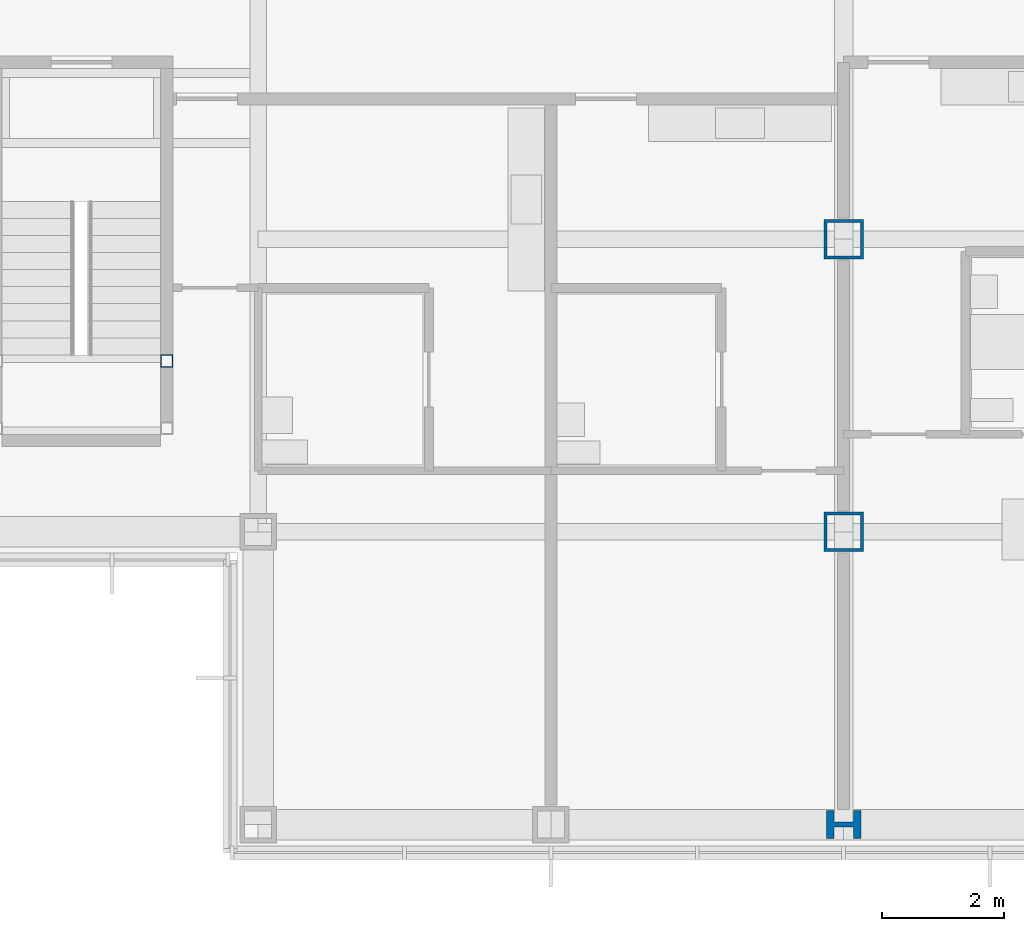
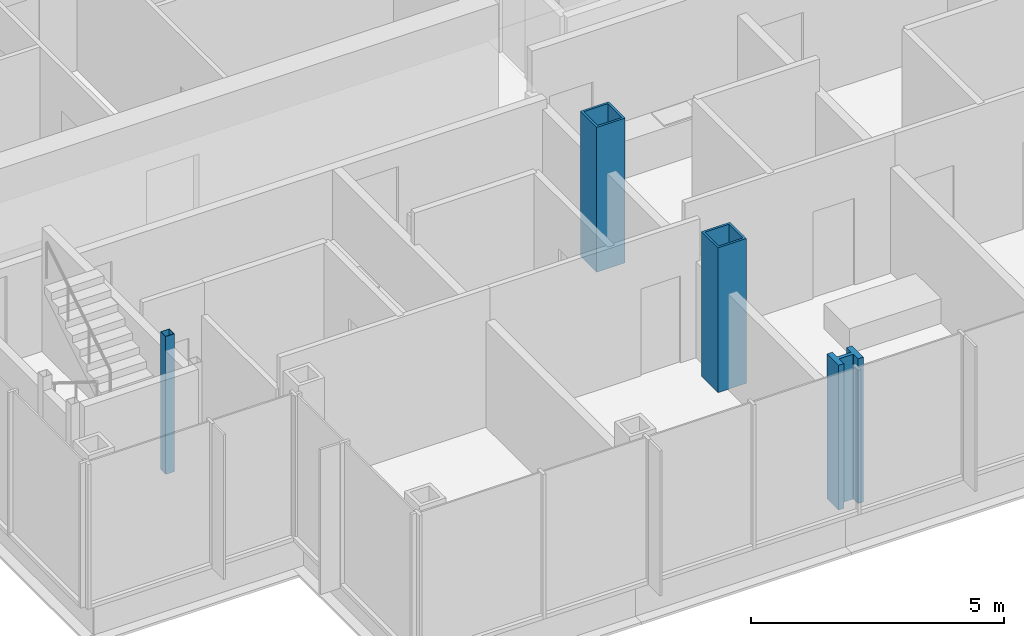
# One storey, part 2 of 19: 4 columns.
"""IFC4 building model written with IfcOpenShell, lengths in metres."""

from ifc_helpers import new_model, si_unit, direction, frame, origin, origin_2d, place, context, subcontext, project, spatial, hollow_rectangle, i_section, extrude, material, material_profile, profile_set, type_object, element, save


model = new_model("IFC4")

# Units and contexts
model_context = context("Model", 3, precision=1e-05, world=origin(), true_north=direction((0.0, 1.0)))
body_context = subcontext(model_context, "Body", "Model", "MODEL_VIEW")
ifc_project = project(units=[si_unit("LENGTHUNIT", "METRE"), si_unit("AREAUNIT", "SQUARE_METRE"), si_unit("VOLUMEUNIT", "CUBIC_METRE"), si_unit("PLANEANGLEUNIT", "RADIAN"), si_unit("MASSUNIT", "GRAM", prefix="KILO")], contexts=[model_context])

# Site, building, storey
site_placement = place(None, origin())
site = spatial("IfcSite", under=ifc_project, at=site_placement, CompositionType="ELEMENT")
building_placement = place(site_placement, origin())
building = spatial("IfcBuilding", under=site, at=building_placement, Name="Kvirike Care Tower", CompositionType="ELEMENT")
storey_placement = place(building_placement, frame((0.0, 0.0, 108.5)))
storey = spatial("IfcBuildingStorey", under=building, at=storey_placement, Name="L29", CompositionType="ELEMENT", Elevation=108.5)

# Columns
ifc_material_1 = material(Name="Steel S460", Category="steel")
ifc_material_profile_1 = material_profile(ifc_material_1, hollow_rectangle(XDim=0.64990234375, YDim=0.64990234375, WallThickness=0.050048828125, at=origin_2d()), Name="BX 650x650x50")
ifc_profile_set_1 = profile_set([ifc_material_profile_1], Name="Steel S460")
column_type_1 = type_object("IfcColumnType", Name="COLUMN BX 650x650x50", PredefinedType="COLUMN", material=ifc_profile_set_1)
for number, where, z_axis, x_axis, name in (
    (1, (28.800048828125, 19.199951171875, 0.0), (0.0, 0.0, 1.0), (1.0, 0.0, 0.0), "Column E9 L29"),
    (2, (28.800048828125, 24.0, 0.0), (0.0, 0.0, 1.0), (1.0, 0.0, 0.0), "Column F9 L29"),
):
    element("IfcColumn", number, at=place(storey_placement, frame(where, z_axis=z_axis, x_axis=x_axis)), inside=storey, type_object=column_type_1, Name=name, PredefinedType="COLUMN", context=body_context, shape_type="SweptSolid", body=[
        extrude(hollow_rectangle(XDim=0.64990234375, YDim=0.64990234375, WallThickness=0.050048828125, at=origin_2d()), origin(), (0.0, 0.0, 1.0), 3.5),
    ])
ifc_material_2 = material(Name="Steel S460", Category="steel")
ifc_material_profile_2 = material_profile(ifc_material_2, i_section(OverallWidth=0.4541015625, OverallDepth=0.569091796875, WebThickness=0.077880859375, FlangeThickness=0.125, FilletRadius=0.014892578125, at=origin_2d()), Name="HD 400x1086")
ifc_profile_set_2 = profile_set([ifc_material_profile_2], Name="Steel S460")
column_type_2 = type_object("IfcColumnType", Name="COLUMN HD 400x1086", PredefinedType="COLUMN", material=ifc_profile_set_2)
column_1_placement = place(storey_placement, frame((28.800048828125, 14.39990234375, 0.0), z_axis=(0.0, 0.0, 1.0), x_axis=(0.0, 1.0, 0.0)))
element("IfcColumn", 3, at=column_1_placement, inside=storey, type_object=column_type_2, Name="Column D9 L29", PredefinedType="COLUMN", context=body_context, shape_type="SweptSolid", body=[
    extrude(i_section(OverallWidth=0.4541015625, OverallDepth=0.569091796875, WebThickness=0.077880859375, FlangeThickness=0.125, FilletRadius=0.014892578125, at=origin_2d()), origin(), (0.0, 0.0, 1.0), 3.5),
])
ifc_material_3 = material(Name="Steel S460", Category="steel")
ifc_material_profile_3 = material_profile(ifc_material_3, hollow_rectangle(XDim=0.199951171875, YDim=0.199951171875, WallThickness=0.008056640625, at=origin_2d()), Name="SHS 200x200x8")
ifc_profile_set_3 = profile_set([ifc_material_profile_3], Name="Steel S460")
column_type_3 = type_object("IfcColumnType", Name="STAIR POST SHS 200x200x8", PredefinedType="COLUMN", material=ifc_profile_set_3)
column_2_placement = place(storey_placement, frame((17.699951171875, 22.0, 0.0), z_axis=(0.0, 0.0, 1.0), x_axis=(1.0, 0.0, 0.0)))
element("IfcColumn", 4, at=column_2_placement, inside=storey, type_object=column_type_3, Name="Stair 5 post 4 L29", PredefinedType="COLUMN", context=body_context, shape_type="SweptSolid", body=[
    extrude(hollow_rectangle(XDim=0.199951171875, YDim=0.199951171875, WallThickness=0.008056640625, at=origin_2d()), origin(), (0.0, 0.0, 1.0), 3.330078125),
])

save(model, "model.ifc")
